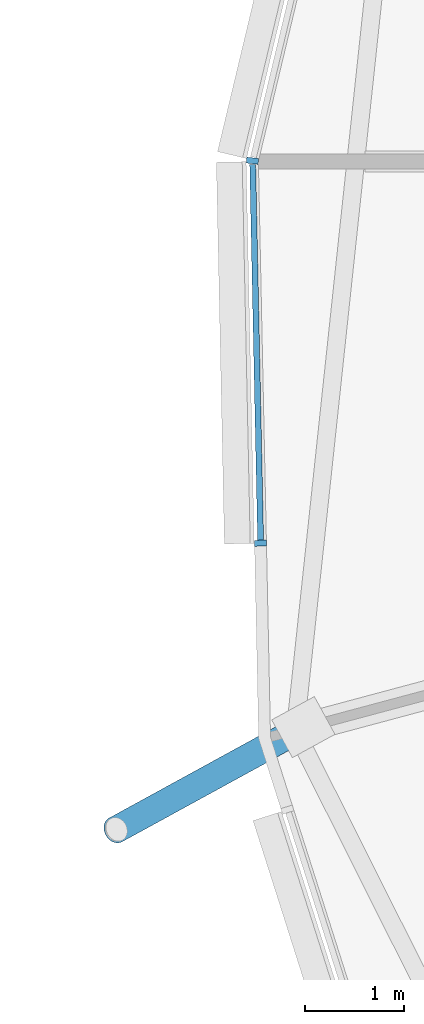
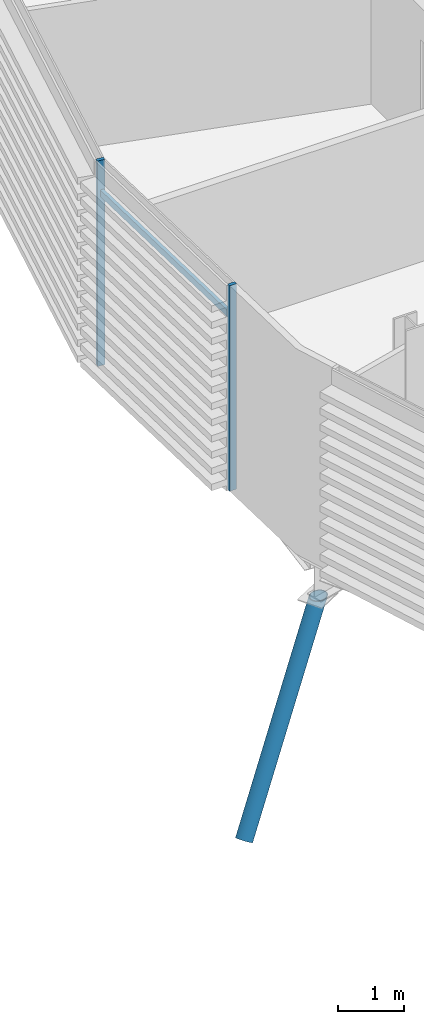
# One storey, part 8 of 38: 4 members, 1 element without a shape of its own.
"""IFC4 building model written with IfcOpenShell, lengths in metres."""

from ifc_helpers import new_model, si_unit, direction, frame, origin, origin_2d, place, context, subcontext, project, spatial, rectangle, hollow_circle, extrude, clip, halfspace, material, material_profile, profile_set, type_object, element, aggregate, save


model = new_model("IFC4")

# Units and contexts
model_context = context("Model", 3, precision=1e-05, world=origin(), true_north=direction((0.0, 1.0)))
body_context = subcontext(model_context, "Body", "Model", "MODEL_VIEW")
ifc_project = project(units=[si_unit("LENGTHUNIT", "METRE"), si_unit("AREAUNIT", "SQUARE_METRE"), si_unit("VOLUMEUNIT", "CUBIC_METRE"), si_unit("PLANEANGLEUNIT", "RADIAN"), si_unit("MASSUNIT", "GRAM", prefix="KILO")], contexts=[model_context])

# Site, building, storey
site_placement = place(None, origin())
site = spatial("IfcSite", under=ifc_project, at=site_placement, CompositionType="ELEMENT")
building_placement = place(site_placement, origin())
building = spatial("IfcBuilding", under=site, at=building_placement, Name="Rimbun Link Towers", CompositionType="ELEMENT")
storey_placement = place(building_placement, frame((0.0, 0.0, 56.60009765625)))
storey = spatial("IfcBuildingStorey", under=building, at=storey_placement, Name="L13", CompositionType="ELEMENT", Elevation=56.60009765625)

# Curtain wall, members
ifc_material_1 = material(Name="Aluminium 6063-T6 and low-iron glass", Category="aluminium")
curtain_wall_type = type_object("IfcCurtainWallType", Name="CW1 unitised vision wall", PredefinedType="NOTDEFINED", material=ifc_material_1)
curtain_wall_placement = place(storey_placement, origin())
curtain_wall = element("IfcCurtainWall", 1, at=curtain_wall_placement, inside=storey, type_object=curtain_wall_type, Name="CW1 L13 T2", PredefinedType="NOTDEFINED")
ifc_material_2 = material(Name="Aluminium 6063-T6", Category="aluminium")
ifc_material_profile_1 = material_profile(ifc_material_2, rectangle(XDim=0.1201171875, YDim=0.06005859375, at=origin_2d()), Name="MULLION 60X120")
ifc_profile_set_1 = profile_set([ifc_material_profile_1], Name="Aluminium 6063-T6")
member_type_1 = type_object("IfcMemberType", Name="CW1 mullion 60X120", PredefinedType="MULLION", material=ifc_profile_set_1)
member_1_placement = place(storey_placement, frame((9.9599609375, 0.00634765625, 0.0), z_axis=(0.0, 0.0, 1.0), x_axis=(-0.994297747916, 0.106639525927, 0.0)))
member_1 = element("IfcMember", 2, at=member_1_placement, type_object=member_type_1, Name="CW1 mullion", PredefinedType="MULLION", context=body_context, shape_type="SweptSolid", body=[
    extrude(rectangle(XDim=0.1201171875, YDim=0.06005859375, at=origin_2d()), origin(), (0.0, 0.0, 1.0), 3.7998046875),
])
member_2_placement = place(storey_placement, frame((10.04052734375, -3.841552734375, 0.0), z_axis=(0.0, 0.0, 1.0), x_axis=(-0.999778076675, -0.02106649948, 0.0)))
member_2 = element("IfcMember", 3, at=member_2_placement, type_object=member_type_1, Name="CW1 mullion", PredefinedType="MULLION", context=body_context, shape_type="SweptSolid", body=[
    extrude(rectangle(XDim=0.1201171875, YDim=0.06005859375, at=origin_2d()), origin(), (0.0, 0.0, 1.0), 3.7998046875),
])
ifc_material_3 = material(Name="Aluminium 6063-T6", Category="aluminium")
ifc_material_profile_2 = material_profile(ifc_material_3, rectangle(XDim=0.06005859375, YDim=0.1201171875, at=origin_2d()), Name="TRANSOM 60X120")
ifc_profile_set_2 = profile_set([ifc_material_profile_2], Name="Aluminium 6063-T6")
member_type_2 = type_object("IfcMemberType", Name="CW1 transom 60X120", PredefinedType="USERDEFINED", material=ifc_profile_set_2)
member_3_placement = place(storey_placement, frame((10.0419921875, -3.8115234375, 3.199951171875), z_axis=(-0.02104932646, 0.999778438383, 0.0), x_axis=(-0.999778438383, -0.02104932646, 0.0)))
member_3 = element("IfcMember", 4, at=member_3_placement, type_object=member_type_2, Name="CW1 transom", ObjectType="TRANSOM", PredefinedType="USERDEFINED", context=body_context, shape_type="SweptSolid", body=[
    extrude(rectangle(XDim=0.06005859375, YDim=0.1201171875, at=origin_2d()), origin(), (0.0, 0.0, 1.0), 3.781005859375),
])
aggregate(curtain_wall, [member_1, member_2, member_3])

# Member
ifc_material_4 = material(Name="Steel S355J2H", Category="steel")
ifc_material_profile_3 = material_profile(ifc_material_4, hollow_circle(Radius=0.136474609375, WallThickness=0.012451171875, at=origin_2d()), Name="CHS 273x12.5")
ifc_profile_set_3 = profile_set([ifc_material_profile_3], Name="Steel S355J2H")
member_type_3 = type_object("IfcMemberType", Name="Floor edge link CHS 273x12.5", PredefinedType="BRACE", material=ifc_profile_set_3)
member_4_placement = place(storey_placement, frame((10.438720703125, -5.71044921875, -1.07763671875), z_axis=(-0.488372366934, -0.267296604148, -0.83068944656), x_axis=(0.480113687823, -0.877206273783, 0.0)))
element("IfcMember", 5, at=member_4_placement, inside=storey, type_object=member_type_3, Name="Floor edge link T2 L13 10", PredefinedType="BRACE", context=body_context, shape_type="Clipping", body=[
    clip(extrude(hollow_circle(Radius=0.136474609375, WallThickness=0.012451171875, at=origin_2d()), frame((0.0, 0.0, -0.195068359375)), (0.0, 0.0, 1.0), 3.99267578125), halfspace(frame((0.0, 0.0, -0.090087890625), z_axis=(0.0, 0.556736062577, -0.83068944656)), False)),
])

save(model, "model.ifc")
